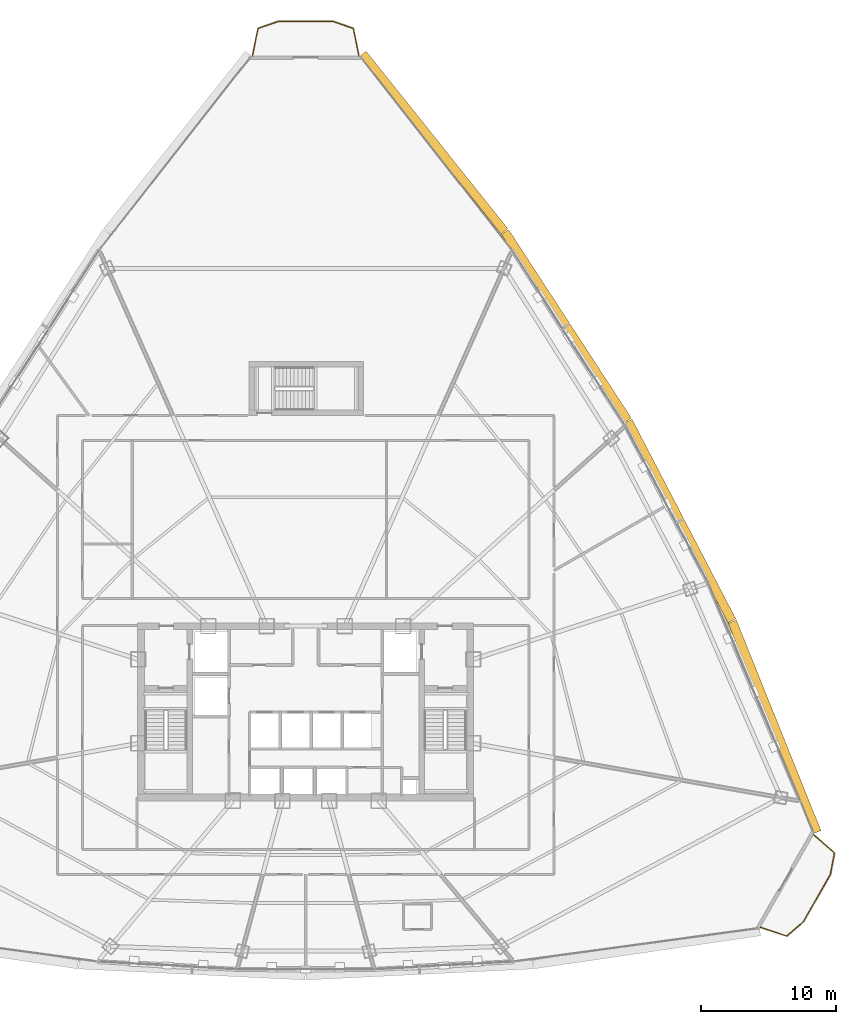
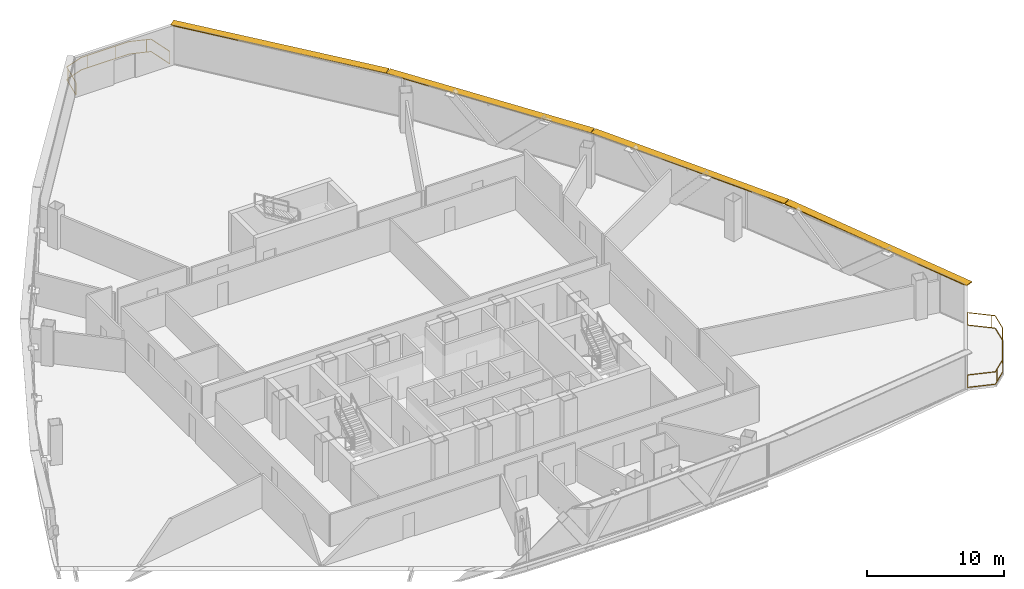
# One storey, part 36 of 36: 4 shading devices, 2 railings.
"""IFC4 building model written with IfcOpenShell, lengths in metres."""

from ifc_helpers import new_model, si_unit, direction, frame, origin, origin_2d, place, context, subcontext, project, spatial, rectangle, extrude, source, transform, mapped, material, layer, layer_set, type_object, element, save


model = new_model("IFC4")

# Units and contexts
model_context = context("Model", 3, precision=1e-05, world=origin(), true_north=direction((0.0, 1.0)))
body_context = subcontext(model_context, "Body", "Model", "MODEL_VIEW")
ifc_project = project(units=[si_unit("LENGTHUNIT", "METRE"), si_unit("AREAUNIT", "SQUARE_METRE"), si_unit("VOLUMEUNIT", "CUBIC_METRE"), si_unit("PLANEANGLEUNIT", "RADIAN"), si_unit("MASSUNIT", "GRAM", prefix="KILO"), si_unit("THERMODYNAMICTEMPERATUREUNIT", "KELVIN"), si_unit("POWERUNIT", "WATT")], contexts=[model_context])

# Site, building, storey
site_placement = place(None, origin())
site = spatial("IfcSite", under=ifc_project, at=site_placement, CompositionType="ELEMENT")
building_placement = place(site_placement, origin())
building = spatial("IfcBuilding", under=site, at=building_placement, Name="Yunzhuo Pagoda Commons", CompositionType="ELEMENT")
storey_placement = place(building_placement, frame((0.0, 0.0, 215.159912109375)))
storey = spatial("IfcBuildingStorey", under=building, at=storey_placement, Name="L54", CompositionType="ELEMENT", Elevation=215.159912109375)

# Railings
ifc_material = material(Name="Anodized aluminium 6063-T6", Category="aluminium")
railing_type = type_object("IfcRailingType", Name="RL-BAL1 Exterior Terrace & Balcony Balustrade 1150", PredefinedType="BALUSTRADE", material=ifc_material)
railing_1_placement = place(storey_placement, frame((81.69287109375, 17.88427734375, 0.0)))
element("IfcRailing", 1, at=railing_1_placement, inside=storey, type_object=railing_type, Name="L54 corner balcony balustrade V2", PredefinedType="BALUSTRADE", context=body_context, shape_type="SweptSolid", body=[
    extrude(rectangle(XDim=0.048095703125, YDim=0.048095703125, at=origin_2d()), frame((0.0, 0.0, 1.1259765625), z_axis=(0.947419062147, -0.319995501031, 0.0), x_axis=(0.319995501031, 0.947419062147, 0.0)), (0.0, 0.0, 1.0), 2.05908203125),
    extrude(rectangle(XDim=0.048095703125, YDim=0.048095703125, at=origin_2d()), frame((0.0, 0.0, 0.02392578125), z_axis=(0.947419062147, -0.319995501031, 0.0), x_axis=(0.319995501031, 0.947419062147, 0.0)), (0.0, 0.0, 1.0), 2.05908203125),
    extrude(rectangle(XDim=0.048095703125, YDim=0.048095703125, at=origin_2d()), frame((1.950927734375, -0.658935546875, 1.1259765625), z_axis=(0.753282721455, 0.657696846242, 0.0), x_axis=(-0.657696846242, 0.753282721455, 0.0)), (0.0, 0.0, 1.0), 1.626953125),
    extrude(rectangle(XDim=0.048095703125, YDim=0.048095703125, at=origin_2d()), frame((1.950927734375, -0.658935546875, 0.02392578125), z_axis=(0.753282721455, 0.657696846242, 0.0), x_axis=(-0.657696846242, 0.753282721455, 0.0)), (0.0, 0.0, 1.0), 1.626953125),
    extrude(rectangle(XDim=0.048095703125, YDim=0.048095703125, at=origin_2d()), frame((3.176513671875, 0.4111328125, 1.1259765625), z_axis=(0.497935758884, 0.86721391826, 0.0), x_axis=(-0.86721391826, 0.497935758884, 0.0)), (0.0, 0.0, 1.0), 4.0361328125),
    extrude(rectangle(XDim=0.048095703125, YDim=0.048095703125, at=origin_2d()), frame((3.176513671875, 0.4111328125, 0.02392578125), z_axis=(0.497935758884, 0.86721391826, 0.0), x_axis=(-0.86721391826, 0.497935758884, 0.0)), (0.0, 0.0, 1.0), 4.0361328125),
    extrude(rectangle(XDim=0.048095703125, YDim=0.048095703125, at=origin_2d()), frame((5.186279296875, 3.911376953125, 1.1259765625), z_axis=(0.188201640335, 0.982130410167, 0.0), x_axis=(-0.982130410167, 0.188201640335, 0.0)), (0.0, 0.0, 1.0), 1.626708984375),
    extrude(rectangle(XDim=0.048095703125, YDim=0.048095703125, at=origin_2d()), frame((5.186279296875, 3.911376953125, 0.02392578125), z_axis=(0.188201640335, 0.982130410167, 0.0), x_axis=(-0.982130410167, 0.188201640335, 0.0)), (0.0, 0.0, 1.0), 1.626708984375),
    extrude(rectangle(XDim=0.048095703125, YDim=0.048095703125, at=origin_2d()), frame((5.492431640625, 5.509033203125, 1.1259765625), z_axis=(-0.753933830692, 0.656950362614, 0.0), x_axis=(-0.656950362614, -0.753933830692, 0.0)), (0.0, 0.0, 1.0), 2.05908203125),
    extrude(rectangle(XDim=0.048095703125, YDim=0.048095703125, at=origin_2d()), frame((5.492431640625, 5.509033203125, 0.02392578125), z_axis=(-0.753933830692, 0.656950362614, 0.0), x_axis=(-0.656950362614, -0.753933830692, 0.0)), (0.0, 0.0, 1.0), 2.05908203125),
    extrude(rectangle(XDim=0.0419921875, YDim=0.0419921875, at=origin_2d()), origin(), (0.0, 0.0, 1.0), 1.101806640625),
    extrude(rectangle(XDim=0.0419921875, YDim=0.0419921875, at=origin_2d()), frame((2.207763671875, -0.434814453125, 0.0)), (0.0, 0.0, 1.0), 1.101806640625),
    extrude(rectangle(XDim=0.0419921875, YDim=0.0419921875, at=origin_2d()), frame((3.731201171875, 1.376953125, 0.0)), (0.0, 0.0, 1.0), 1.101806640625),
    extrude(rectangle(XDim=0.0419921875, YDim=0.0419921875, at=origin_2d()), frame((4.92626953125, 3.458251953125, 0.0)), (0.0, 0.0, 1.0), 1.101806640625),
    extrude(rectangle(XDim=0.0419921875, YDim=0.0419921875, at=origin_2d()), frame((5.30322265625, 5.673828125, 0.0)), (0.0, 0.0, 1.0), 1.101806640625),
    extrude(rectangle(XDim=0.0419921875, YDim=0.0419921875, at=origin_2d()), frame((3.93994140625, 6.86181640625, 0.0)), (0.0, 0.0, 1.0), 1.101806640625),
])
railing_2_placement = place(storey_placement, frame((51.939453125, 82.466796875, 0.0)))
element("IfcRailing", 2, at=railing_2_placement, inside=storey, type_object=railing_type, Name="L54 corner balcony balustrade V3", PredefinedType="BALUSTRADE", context=body_context, shape_type="SweptSolid", body=[
    extrude(rectangle(XDim=0.048095703125, YDim=0.048095703125, at=origin_2d()), frame((0.0, 0.0, 1.1259765625), z_axis=(-0.194200568098, 0.980961843983, 0.0), x_axis=(-0.980961843983, -0.194200568098, 0.0)), (0.0, 0.0, 1.0), 2.059326171875),
    extrude(rectangle(XDim=0.048095703125, YDim=0.048095703125, at=origin_2d()), frame((0.0, 0.0, 0.02392578125), z_axis=(-0.194200568098, 0.980961843983, 0.0), x_axis=(-0.980961843983, -0.194200568098, 0.0)), (0.0, 0.0, 1.0), 2.059326171875),
    extrude(rectangle(XDim=0.048095703125, YDim=0.048095703125, at=origin_2d()), frame((-0.39990234375, 2.02001953125, 1.1259765625), z_axis=(-0.944939447999, 0.32724522856, 0.0), x_axis=(-0.32724522856, -0.944939447999, 0.0)), (0.0, 0.0, 1.0), 1.618896484375),
    extrude(rectangle(XDim=0.048095703125, YDim=0.048095703125, at=origin_2d()), frame((-0.39990234375, 2.02001953125, 0.02392578125), z_axis=(-0.944939447999, 0.32724522856, 0.0), x_axis=(-0.32724522856, -0.944939447999, 0.0)), (0.0, 0.0, 1.0), 1.618896484375),
    extrude(rectangle(XDim=0.048095703125, YDim=0.048095703125, at=origin_2d()), frame((-1.9296875, 2.5498046875, 1.1259765625), z_axis=(-1.0, 0.0, 0.0), x_axis=(0.0, -1.0, 0.0)), (0.0, 0.0, 1.0), 4.01953125),
    extrude(rectangle(XDim=0.048095703125, YDim=0.048095703125, at=origin_2d()), frame((-1.9296875, 2.5498046875, 0.02392578125), z_axis=(-1.0, 0.0, 0.0), x_axis=(0.0, -1.0, 0.0)), (0.0, 0.0, 1.0), 4.01953125),
    extrude(rectangle(XDim=0.048095703125, YDim=0.048095703125, at=origin_2d()), frame((-5.94921875, 2.5498046875, 1.1259765625), z_axis=(-0.944939447999, -0.32724522856, 0.0), x_axis=(0.32724522856, -0.944939447999, 0.0)), (0.0, 0.0, 1.0), 1.618896484375),
    extrude(rectangle(XDim=0.048095703125, YDim=0.048095703125, at=origin_2d()), frame((-5.94921875, 2.5498046875, 0.02392578125), z_axis=(-0.944939447999, -0.32724522856, 0.0), x_axis=(0.32724522856, -0.944939447999, 0.0)), (0.0, 0.0, 1.0), 1.618896484375),
    extrude(rectangle(XDim=0.048095703125, YDim=0.048095703125, at=origin_2d()), frame((-7.47900390625, 2.02001953125, 1.1259765625), z_axis=(-0.194200568098, -0.980961843983, 0.0), x_axis=(0.980961843983, -0.194200568098, 0.0)), (0.0, 0.0, 1.0), 2.059326171875),
    extrude(rectangle(XDim=0.048095703125, YDim=0.048095703125, at=origin_2d()), frame((-7.47900390625, 2.02001953125, 0.02392578125), z_axis=(-0.194200568098, -0.980961843983, 0.0), x_axis=(0.980961843983, -0.194200568098, 0.0)), (0.0, 0.0, 1.0), 2.059326171875),
    extrude(rectangle(XDim=0.0419921875, YDim=0.0419921875, at=origin_2d()), origin(), (0.0, 0.0, 1.0), 1.101806640625),
    extrude(rectangle(XDim=0.0419921875, YDim=0.0419921875, at=origin_2d()), frame((-0.721923828125, 2.131591796875, 0.0)), (0.0, 0.0, 1.0), 1.101806640625),
    extrude(rectangle(XDim=0.0419921875, YDim=0.0419921875, at=origin_2d()), frame((-3.051513671875, 2.5498046875, 0.0)), (0.0, 0.0, 1.0), 1.101806640625),
    extrude(rectangle(XDim=0.0419921875, YDim=0.0419921875, at=origin_2d()), frame((-5.45166015625, 2.5498046875, 0.0)), (0.0, 0.0, 1.0), 1.101806640625),
    extrude(rectangle(XDim=0.0419921875, YDim=0.0419921875, at=origin_2d()), frame((-7.533935546875, 1.741943359375, 0.0)), (0.0, 0.0, 1.0), 1.101806640625),
    extrude(rectangle(XDim=0.0419921875, YDim=0.0419921875, at=origin_2d()), frame((-7.87890625, 0.0, 0.0)), (0.0, 0.0, 1.0), 1.101806640625),
])

# Shading devices
ifc_layer = layer(ifc_material, 0.080078125)
ifc_layer_set = layer_set([ifc_layer], Name="Anodized aluminium 6063-T6")
shading_device_type = type_object("IfcShadingDeviceType", Name="SH-SUN1 Pagoda Horizontal Sunshade Eave 650", PredefinedType="USERDEFINED", material=ifc_layer_set)
shared_shape_1 = source(origin(), body_context, "Body", "SweptSolid", [
    extrude(rectangle(XDim=16.82861328125, YDim=0.64990234375, at=origin_2d()), origin(), (0.0, 0.0, 1.0), 0.080078125),
])
for number, where, z_axis, x_axis, name in (
    (3, (82.74951171875, 32.730712890625, 3.43994140625), (0.0, 0.0, 1.0), (-0.372987782576, 0.927836253899, 0.0), "L54 horizontal pagoda sunshade eave F2.1"),
    (4, (57.474365234375, 76.029296875, 3.43994140625), (0.0, 0.0, 1.0), (-0.624520471688, 0.781008438138, 0.0), "L54 horizontal pagoda sunshade eave F2.4"),
):
    element("IfcShadingDevice", number, at=place(storey_placement, frame(where, z_axis=z_axis, x_axis=x_axis)), inside=storey, type_object=shading_device_type, Name=name, ObjectType="SUNSHADE", PredefinedType="USERDEFINED", context=body_context, shape_type="MappedRepresentation", body=[
        mapped(shared_shape_1, transform((0.0, 0.0, 0.0), scale=1.0)),
    ])
shared_shape_2 = source(origin(), body_context, "Body", "SweptSolid", [
    extrude(rectangle(XDim=16.668701171875, YDim=0.64990234375, at=origin_2d()), origin(), (0.0, 0.0, 1.0), 0.080078125),
])
for number, where, z_axis, x_axis, name in (
    (5, (75.74072265625, 47.989990234375, 3.43994140625), (0.0, 0.0, 1.0), (-0.461206683033, 0.88729273384, 0.0), "L54 horizontal pagoda sunshade eave F2.2"),
    (6, (67.3154296875, 62.42333984375, 3.43994140625), (0.0, 0.0, 1.0), (-0.545838756973, 0.837890238269, 0.0), "L54 horizontal pagoda sunshade eave F2.3"),
):
    element("IfcShadingDevice", number, at=place(storey_placement, frame(where, z_axis=z_axis, x_axis=x_axis)), inside=storey, type_object=shading_device_type, Name=name, ObjectType="SUNSHADE", PredefinedType="USERDEFINED", context=body_context, shape_type="MappedRepresentation", body=[
        mapped(shared_shape_2, transform((0.0, 0.0, 0.0), scale=1.0)),
    ])

save(model, "model.ifc")
